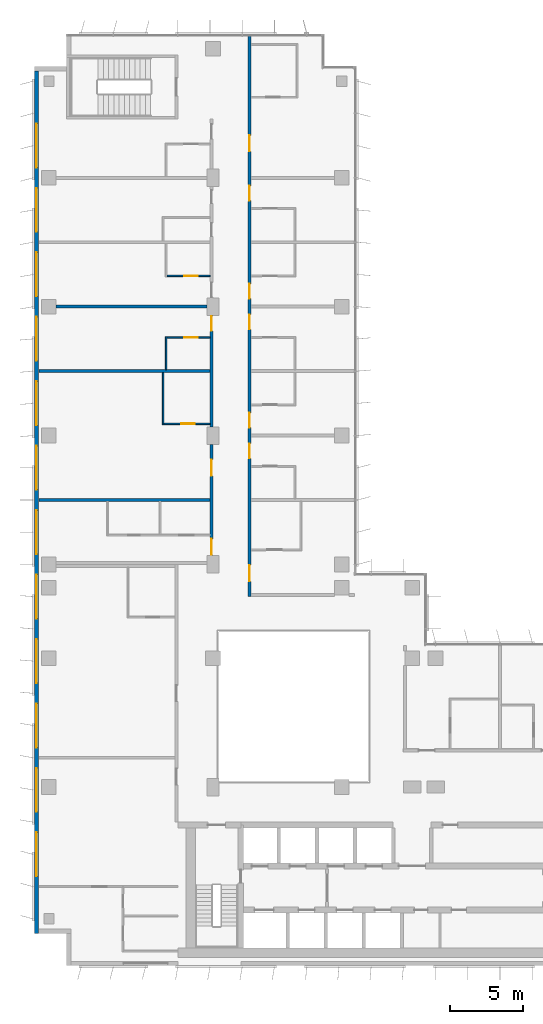
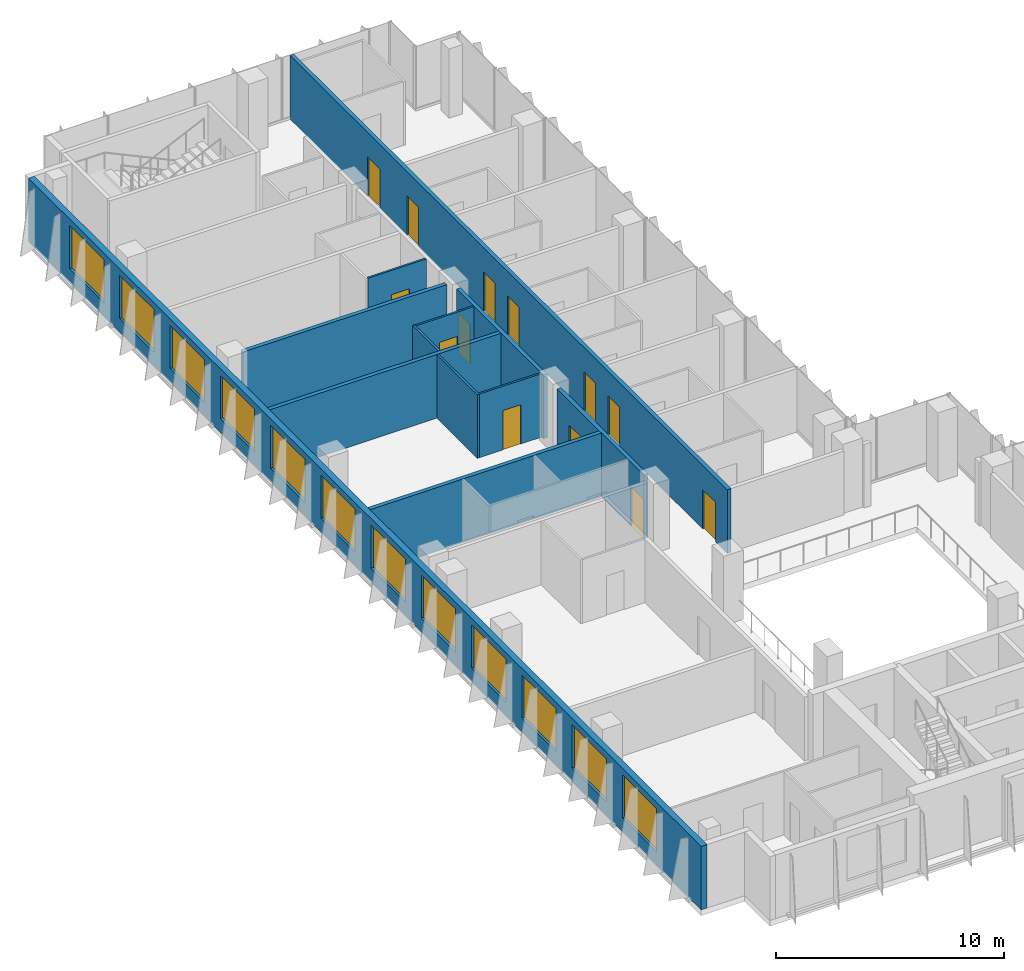
# One storey, part 16 of 21: 13 doors, 12 walls, 12 windows, 25 openings.
"""IFC4 building model written with IfcOpenShell, lengths in metres."""

from ifc_helpers import new_model, si_unit, direction, frame, frame_2d, origin, place, context, subcontext, project, spatial, rectangle, extrude, material, layer, layer_set, type_object, element, fill, save


model = new_model("IFC4")

# Units and contexts
model_context = context("Model", 3, precision=1e-05, world=origin(), true_north=direction((0.0, 1.0)))
body_context = subcontext(model_context, "Body", "Model", "MODEL_VIEW")
ifc_project = project(units=[si_unit("LENGTHUNIT", "METRE"), si_unit("AREAUNIT", "SQUARE_METRE"), si_unit("VOLUMEUNIT", "CUBIC_METRE"), si_unit("PLANEANGLEUNIT", "RADIAN"), si_unit("MASSUNIT", "GRAM", prefix="KILO")], contexts=[model_context])

# Site, building, storey
site_placement = place(None, origin())
site = spatial("IfcSite", under=ifc_project, at=site_placement, CompositionType="ELEMENT")
building_placement = place(site_placement, origin())
building = spatial("IfcBuilding", under=site, at=building_placement, Name="Kemantara Hotel Tower", CompositionType="ELEMENT")
storey_placement = place(building_placement, frame((0.0, 0.0, 182.699951171875)))
storey = spatial("IfcBuildingStorey", under=building, at=storey_placement, Name="L45", CompositionType="ELEMENT", Elevation=182.699951171875)

# Wall, openings, windows
ifc_material_1 = material(Name="Bronze anodised aluminium cladding on insulated steel stud wall", Category="steel")
ifc_layer_1 = layer(ifc_material_1, 0.300048828125)
ifc_layer_set_1 = layer_set([ifc_layer_1], Name="Bronze anodised aluminium cladding on insulated steel stud wall")
wall_type_1 = type_object("IfcWallType", Name="BRONZE METAL-CLAD EXTERNAL WALL 300", PredefinedType="STANDARD", material=ifc_layer_set_1)
wall_1_placement = place(storey_placement, frame((0.14990234375, 61.10009765625, 0.0), z_axis=(0.0, 0.0, 1.0), x_axis=(0.0, -1.0, 0.0)))
wall_1 = element("IfcWall", 1, at=wall_1_placement, inside=storey, type_object=wall_type_1, Name="EXTERNAL WALL L45 T3-R05", PredefinedType="STANDARD", context=body_context, shape_type="SweptSolid", body=[
    extrude(rectangle(XDim=58.900146484375, YDim=0.300048828125, at=frame_2d((29.4501953125, 0.0))), origin(), (0.0, 0.0, 1.0), 3.400146484375),
])
opening_1_placement = place(wall_1_placement, frame((3.60009765625, 0.0, 0.75)))
opening_1 = element("IfcOpeningElement", 2, at=opening_1_placement, cuts=wall_1, Name="Opening W1", PredefinedType="OPENING", context=body_context, shape_type="SweptSolid", body=[
    extrude(rectangle(XDim=3.0, YDim=2.300048828125, at=frame_2d((1.5, 1.14990234375))), frame((0.0, 0.159912109375, 0.0), z_axis=(0.0, -1.0, 0.0), x_axis=(1.0, 0.0, 0.0)), (0.0, 0.0, 1.0), 0.320068359375),
])
opening_2_placement = place(wall_1_placement, frame((8.0, 0.0, 0.75)))
opening_2 = element("IfcOpeningElement", 3, at=opening_2_placement, cuts=wall_1, Name="Opening W1", PredefinedType="OPENING", context=body_context, shape_type="SweptSolid", body=[
    extrude(rectangle(XDim=3.0, YDim=2.300048828125, at=frame_2d((1.5, 1.14990234375))), frame((0.0, 0.159912109375, 0.0), z_axis=(0.0, -1.0, 0.0), x_axis=(1.0, 0.0, 0.0)), (0.0, 0.0, 1.0), 0.320068359375),
])
opening_3_placement = place(wall_1_placement, frame((12.39990234375, 0.0, 0.75)))
opening_3 = element("IfcOpeningElement", 4, at=opening_3_placement, cuts=wall_1, Name="Opening W1", PredefinedType="OPENING", context=body_context, shape_type="SweptSolid", body=[
    extrude(rectangle(XDim=3.0, YDim=2.300048828125, at=frame_2d((1.5, 1.14990234375))), frame((0.0, 0.159912109375, 0.0), z_axis=(0.0, -1.0, 0.0), x_axis=(1.0, 0.0, 0.0)), (0.0, 0.0, 1.0), 0.320068359375),
])
opening_4_placement = place(wall_1_placement, frame((16.800048828125, 0.0, 0.75)))
opening_4 = element("IfcOpeningElement", 5, at=opening_4_placement, cuts=wall_1, Name="Opening W1", PredefinedType="OPENING", context=body_context, shape_type="SweptSolid", body=[
    extrude(rectangle(XDim=3.0, YDim=2.300048828125, at=frame_2d((1.5, 1.14990234375))), frame((0.0, 0.159912109375, 0.0), z_axis=(0.0, -1.0, 0.0), x_axis=(1.0, 0.0, 0.0)), (0.0, 0.0, 1.0), 0.320068359375),
])
opening_5_placement = place(wall_1_placement, frame((21.199951171875, 0.0, 0.75)))
opening_5 = element("IfcOpeningElement", 6, at=opening_5_placement, cuts=wall_1, Name="Opening W1", PredefinedType="OPENING", context=body_context, shape_type="SweptSolid", body=[
    extrude(rectangle(XDim=3.0, YDim=2.300048828125, at=frame_2d((1.5, 1.14990234375))), frame((0.0, 0.159912109375, 0.0), z_axis=(0.0, -1.0, 0.0), x_axis=(1.0, 0.0, 0.0)), (0.0, 0.0, 1.0), 0.320068359375),
])
opening_6_placement = place(wall_1_placement, frame((25.60009765625, 0.0, 0.75)))
opening_6 = element("IfcOpeningElement", 7, at=opening_6_placement, cuts=wall_1, Name="Opening W1", PredefinedType="OPENING", context=body_context, shape_type="SweptSolid", body=[
    extrude(rectangle(XDim=3.0, YDim=2.300048828125, at=frame_2d((1.5, 1.14990234375))), frame((0.0, 0.159912109375, 0.0), z_axis=(0.0, -1.0, 0.0), x_axis=(1.0, 0.0, 0.0)), (0.0, 0.0, 1.0), 0.320068359375),
])
opening_7_placement = place(wall_1_placement, frame((30.0, 0.0, 0.75)))
opening_7 = element("IfcOpeningElement", 8, at=opening_7_placement, cuts=wall_1, Name="Opening W1", PredefinedType="OPENING", context=body_context, shape_type="SweptSolid", body=[
    extrude(rectangle(XDim=3.0, YDim=2.300048828125, at=frame_2d((1.5, 1.14990234375))), frame((0.0, 0.159912109375, 0.0), z_axis=(0.0, -1.0, 0.0), x_axis=(1.0, 0.0, 0.0)), (0.0, 0.0, 1.0), 0.320068359375),
])
opening_8_placement = place(wall_1_placement, frame((34.39990234375, 0.0, 0.75)))
opening_8 = element("IfcOpeningElement", 9, at=opening_8_placement, cuts=wall_1, Name="Opening W1", PredefinedType="OPENING", context=body_context, shape_type="SweptSolid", body=[
    extrude(rectangle(XDim=3.0, YDim=2.300048828125, at=frame_2d((1.5, 1.14990234375))), frame((0.0, 0.159912109375, 0.0), z_axis=(0.0, -1.0, 0.0), x_axis=(1.0, 0.0, 0.0)), (0.0, 0.0, 1.0), 0.320068359375),
])
opening_9_placement = place(wall_1_placement, frame((38.800048828125, 0.0, 0.75)))
opening_9 = element("IfcOpeningElement", 10, at=opening_9_placement, cuts=wall_1, Name="Opening W1", PredefinedType="OPENING", context=body_context, shape_type="SweptSolid", body=[
    extrude(rectangle(XDim=3.0, YDim=2.300048828125, at=frame_2d((1.5, 1.14990234375))), frame((0.0, 0.159912109375, 0.0), z_axis=(0.0, -1.0, 0.0), x_axis=(1.0, 0.0, 0.0)), (0.0, 0.0, 1.0), 0.320068359375),
])
opening_10_placement = place(wall_1_placement, frame((43.199951171875, 0.0, 0.75)))
opening_10 = element("IfcOpeningElement", 11, at=opening_10_placement, cuts=wall_1, Name="Opening W1", PredefinedType="OPENING", context=body_context, shape_type="SweptSolid", body=[
    extrude(rectangle(XDim=3.0, YDim=2.300048828125, at=frame_2d((1.5, 1.14990234375))), frame((0.0, 0.159912109375, 0.0), z_axis=(0.0, -1.0, 0.0), x_axis=(1.0, 0.0, 0.0)), (0.0, 0.0, 1.0), 0.320068359375),
])
opening_11_placement = place(wall_1_placement, frame((47.60009765625, 0.0, 0.75)))
opening_11 = element("IfcOpeningElement", 12, at=opening_11_placement, cuts=wall_1, Name="Opening W1", PredefinedType="OPENING", context=body_context, shape_type="SweptSolid", body=[
    extrude(rectangle(XDim=3.0, YDim=2.300048828125, at=frame_2d((1.5, 1.14990234375))), frame((0.0, 0.159912109375, 0.0), z_axis=(0.0, -1.0, 0.0), x_axis=(1.0, 0.0, 0.0)), (0.0, 0.0, 1.0), 0.320068359375),
])
opening_12_placement = place(wall_1_placement, frame((52.0, 0.0, 0.75)))
opening_12 = element("IfcOpeningElement", 13, at=opening_12_placement, cuts=wall_1, Name="Opening W1", PredefinedType="OPENING", context=body_context, shape_type="SweptSolid", body=[
    extrude(rectangle(XDim=3.0, YDim=2.300048828125, at=frame_2d((1.5, 1.14990234375))), frame((0.0, 0.159912109375, 0.0), z_axis=(0.0, -1.0, 0.0), x_axis=(1.0, 0.0, 0.0)), (0.0, 0.0, 1.0), 0.320068359375),
])
ifc_material_2 = material(Name="Low-E tinted double insulated glass in bronze anodised aluminium frame", Category="aluminium")
window_type = type_object("IfcWindowType", Name="CHICAGO WINDOW, TRIPLE PANEL 3000x2300", PartitioningType="TRIPLE_PANEL_VERTICAL", PredefinedType="WINDOW", material=ifc_material_2)
window_1_placement = place(opening_1_placement, origin())
window_1 = element("IfcWindow", 14, at=window_1_placement, inside=storey, type_object=window_type, Name="CHICAGO WINDOW L45 T3-R05-54", OverallHeight=2.300048828125, OverallWidth=3.0, PartitioningType="SINGLE_PANEL", PredefinedType="WINDOW", context=body_context, shape_type="SweptSolid", body=[
    extrude(rectangle(XDim=3.0, YDim=2.300048828125, at=frame_2d((1.5, 1.14990234375))), frame((0.0, 0.030029296875, 0.0), z_axis=(0.0, -1.0, 0.0), x_axis=(1.0, 0.0, 0.0)), (0.0, 0.0, 1.0), 0.06005859375),
])
fill(opening_1, window_1)
window_2_placement = place(opening_2_placement, origin())
window_2 = element("IfcWindow", 15, at=window_2_placement, inside=storey, type_object=window_type, Name="CHICAGO WINDOW L45 T3-R05-98", OverallHeight=2.300048828125, OverallWidth=3.0, PartitioningType="SINGLE_PANEL", PredefinedType="WINDOW", context=body_context, shape_type="SweptSolid", body=[
    extrude(rectangle(XDim=3.0, YDim=2.300048828125, at=frame_2d((1.5, 1.14990234375))), frame((0.0, 0.030029296875, 0.0), z_axis=(0.0, -1.0, 0.0), x_axis=(1.0, 0.0, 0.0)), (0.0, 0.0, 1.0), 0.06005859375),
])
fill(opening_2, window_2)
window_3_placement = place(opening_3_placement, origin())
window_3 = element("IfcWindow", 16, at=window_3_placement, inside=storey, type_object=window_type, Name="CHICAGO WINDOW L45 T3-R05-142", OverallHeight=2.300048828125, OverallWidth=3.0, PartitioningType="SINGLE_PANEL", PredefinedType="WINDOW", context=body_context, shape_type="SweptSolid", body=[
    extrude(rectangle(XDim=3.0, YDim=2.300048828125, at=frame_2d((1.5, 1.14990234375))), frame((0.0, 0.030029296875, 0.0), z_axis=(0.0, -1.0, 0.0), x_axis=(1.0, 0.0, 0.0)), (0.0, 0.0, 1.0), 0.06005859375),
])
fill(opening_3, window_3)
window_4_placement = place(opening_4_placement, origin())
window_4 = element("IfcWindow", 17, at=window_4_placement, inside=storey, type_object=window_type, Name="CHICAGO WINDOW L45 T3-R05-186", OverallHeight=2.300048828125, OverallWidth=3.0, PartitioningType="SINGLE_PANEL", PredefinedType="WINDOW", context=body_context, shape_type="SweptSolid", body=[
    extrude(rectangle(XDim=3.0, YDim=2.300048828125, at=frame_2d((1.5, 1.14990234375))), frame((0.0, 0.030029296875, 0.0), z_axis=(0.0, -1.0, 0.0), x_axis=(1.0, 0.0, 0.0)), (0.0, 0.0, 1.0), 0.06005859375),
])
fill(opening_4, window_4)
window_5_placement = place(opening_5_placement, origin())
window_5 = element("IfcWindow", 18, at=window_5_placement, inside=storey, type_object=window_type, Name="CHICAGO WINDOW L45 T3-R05-230", OverallHeight=2.300048828125, OverallWidth=3.0, PartitioningType="SINGLE_PANEL", PredefinedType="WINDOW", context=body_context, shape_type="SweptSolid", body=[
    extrude(rectangle(XDim=3.0, YDim=2.300048828125, at=frame_2d((1.5, 1.14990234375))), frame((0.0, 0.030029296875, 0.0), z_axis=(0.0, -1.0, 0.0), x_axis=(1.0, 0.0, 0.0)), (0.0, 0.0, 1.0), 0.06005859375),
])
fill(opening_5, window_5)
window_6_placement = place(opening_6_placement, origin())
window_6 = element("IfcWindow", 19, at=window_6_placement, inside=storey, type_object=window_type, Name="CHICAGO WINDOW L45 T3-R05-274", OverallHeight=2.300048828125, OverallWidth=3.0, PartitioningType="SINGLE_PANEL", PredefinedType="WINDOW", context=body_context, shape_type="SweptSolid", body=[
    extrude(rectangle(XDim=3.0, YDim=2.300048828125, at=frame_2d((1.5, 1.14990234375))), frame((0.0, 0.030029296875, 0.0), z_axis=(0.0, -1.0, 0.0), x_axis=(1.0, 0.0, 0.0)), (0.0, 0.0, 1.0), 0.06005859375),
])
fill(opening_6, window_6)
window_7_placement = place(opening_7_placement, origin())
window_7 = element("IfcWindow", 20, at=window_7_placement, inside=storey, type_object=window_type, Name="CHICAGO WINDOW L45 T3-R05-318", OverallHeight=2.300048828125, OverallWidth=3.0, PartitioningType="SINGLE_PANEL", PredefinedType="WINDOW", context=body_context, shape_type="SweptSolid", body=[
    extrude(rectangle(XDim=3.0, YDim=2.300048828125, at=frame_2d((1.5, 1.14990234375))), frame((0.0, 0.030029296875, 0.0), z_axis=(0.0, -1.0, 0.0), x_axis=(1.0, 0.0, 0.0)), (0.0, 0.0, 1.0), 0.06005859375),
])
fill(opening_7, window_7)
window_8_placement = place(opening_8_placement, origin())
window_8 = element("IfcWindow", 21, at=window_8_placement, inside=storey, type_object=window_type, Name="CHICAGO WINDOW L45 T3-R05-362", OverallHeight=2.300048828125, OverallWidth=3.0, PartitioningType="SINGLE_PANEL", PredefinedType="WINDOW", context=body_context, shape_type="SweptSolid", body=[
    extrude(rectangle(XDim=3.0, YDim=2.300048828125, at=frame_2d((1.5, 1.14990234375))), frame((0.0, 0.030029296875, 0.0), z_axis=(0.0, -1.0, 0.0), x_axis=(1.0, 0.0, 0.0)), (0.0, 0.0, 1.0), 0.06005859375),
])
fill(opening_8, window_8)
window_9_placement = place(opening_9_placement, origin())
window_9 = element("IfcWindow", 22, at=window_9_placement, inside=storey, type_object=window_type, Name="CHICAGO WINDOW L45 T3-R05-406", OverallHeight=2.300048828125, OverallWidth=3.0, PartitioningType="SINGLE_PANEL", PredefinedType="WINDOW", context=body_context, shape_type="SweptSolid", body=[
    extrude(rectangle(XDim=3.0, YDim=2.300048828125, at=frame_2d((1.5, 1.14990234375))), frame((0.0, 0.030029296875, 0.0), z_axis=(0.0, -1.0, 0.0), x_axis=(1.0, 0.0, 0.0)), (0.0, 0.0, 1.0), 0.06005859375),
])
fill(opening_9, window_9)
window_10_placement = place(opening_10_placement, origin())
window_10 = element("IfcWindow", 23, at=window_10_placement, inside=storey, type_object=window_type, Name="CHICAGO WINDOW L45 T3-R05-450", OverallHeight=2.300048828125, OverallWidth=3.0, PartitioningType="SINGLE_PANEL", PredefinedType="WINDOW", context=body_context, shape_type="SweptSolid", body=[
    extrude(rectangle(XDim=3.0, YDim=2.300048828125, at=frame_2d((1.5, 1.14990234375))), frame((0.0, 0.030029296875, 0.0), z_axis=(0.0, -1.0, 0.0), x_axis=(1.0, 0.0, 0.0)), (0.0, 0.0, 1.0), 0.06005859375),
])
fill(opening_10, window_10)
window_11_placement = place(opening_11_placement, origin())
window_11 = element("IfcWindow", 24, at=window_11_placement, inside=storey, type_object=window_type, Name="CHICAGO WINDOW L45 T3-R05-494", OverallHeight=2.300048828125, OverallWidth=3.0, PartitioningType="SINGLE_PANEL", PredefinedType="WINDOW", context=body_context, shape_type="SweptSolid", body=[
    extrude(rectangle(XDim=3.0, YDim=2.300048828125, at=frame_2d((1.5, 1.14990234375))), frame((0.0, 0.030029296875, 0.0), z_axis=(0.0, -1.0, 0.0), x_axis=(1.0, 0.0, 0.0)), (0.0, 0.0, 1.0), 0.06005859375),
])
fill(opening_11, window_11)
window_12_placement = place(opening_12_placement, origin())
window_12 = element("IfcWindow", 25, at=window_12_placement, inside=storey, type_object=window_type, Name="CHICAGO WINDOW L45 T3-R05-538", OverallHeight=2.300048828125, OverallWidth=3.0, PartitioningType="SINGLE_PANEL", PredefinedType="WINDOW", context=body_context, shape_type="SweptSolid", body=[
    extrude(rectangle(XDim=3.0, YDim=2.300048828125, at=frame_2d((1.5, 1.14990234375))), frame((0.0, 0.030029296875, 0.0), z_axis=(0.0, -1.0, 0.0), x_axis=(1.0, 0.0, 0.0)), (0.0, 0.0, 1.0), 0.06005859375),
])
fill(opening_12, window_12)

# Wall, openings, doors
ifc_material_3 = material(Name="Gypsum board partition, steel studs and mineral wool, 200 mm", Category="steel")
ifc_layer_2 = layer(ifc_material_3, 0.199951171875)
ifc_layer_set_2 = layer_set([ifc_layer_2], Name="Gypsum board partition, steel studs and mineral wool, 200 mm")
wall_type_2 = type_object("IfcWallType", Name="CORRIDOR WALL 200", PredefinedType="PARTITIONING", material=ifc_layer_set_2)
wall_2_placement = place(storey_placement, frame((12.10009765625, 28.0, 0.0), z_axis=(0.0, 0.0, 1.0), x_axis=(0.0, 1.0, 0.0)))
wall_2 = element("IfcWall", 26, at=wall_2_placement, inside=storey, type_object=wall_type_2, Name="CORRIDOR WALL 200 015", PredefinedType="PARTITIONING", context=body_context, shape_type="SweptSolid", body=[
    extrude(rectangle(XDim=7.599853515625, YDim=0.199951171875, at=frame_2d((3.7998046875, 0.0))), origin(), (0.0, 0.0, 1.0), 3.400146484375),
])
opening_13_placement = place(wall_2_placement, frame((0.0498046875, 0.0, 0.0)))
opening_13 = element("IfcOpeningElement", 27, at=opening_13_placement, cuts=wall_2, Name="Opening F21-021", PredefinedType="OPENING", context=body_context, shape_type="SweptSolid", body=[
    extrude(rectangle(XDim=1.10009765625, YDim=2.10009765625, at=frame_2d((0.550048828125, 1.050048828125))), frame((0.0, 0.10986328125, 0.0), z_axis=(0.0, -1.0, 0.0), x_axis=(1.0, 0.0, 0.0)), (0.0, 0.0, 1.0), 0.219970703125),
])
opening_14_placement = place(wall_2_placement, frame((5.449951171875, 0.0, 0.0)))
opening_14 = element("IfcOpeningElement", 28, at=opening_14_placement, cuts=wall_2, Name="Opening F21-024", PredefinedType="OPENING", context=body_context, shape_type="SweptSolid", body=[
    extrude(rectangle(XDim=1.10009765625, YDim=2.10009765625, at=frame_2d((0.550048828125, 1.050048828125))), frame((0.0, 0.10986328125, 0.0), z_axis=(0.0, -1.0, 0.0), x_axis=(1.0, 0.0, 0.0)), (0.0, 0.0, 1.0), 0.219970703125),
])
ifc_material_4 = material(Name="Hardwood veneer door leaf with steel frame", Category="steel")
door_type_1 = type_object("IfcDoorType", Name="GUEST ROOM DOOR 1100 X 2100 FD30S", OperationType="NOTDEFINED", PredefinedType="DOOR", material=ifc_material_4)
door_1_placement = place(opening_13_placement, origin())
door_1 = element("IfcDoor", 29, at=door_1_placement, inside=storey, type_object=door_type_1, Name="GUEST ROOM DOOR F21-021", OperationType="SINGLE_SWING_LEFT", OverallHeight=2.10009765625, OverallWidth=1.10009765625, PredefinedType="DOOR", context=body_context, shape_type="SweptSolid", body=[
    extrude(rectangle(XDim=1.10009765625, YDim=2.10009765625, at=frame_2d((0.550048828125, 1.050048828125))), frame((0.0, 0.02490234375, 0.0), z_axis=(0.0, -1.0, 0.0), x_axis=(1.0, 0.0, 0.0)), (0.0, 0.0, 1.0), 0.050048828125),
])
fill(opening_13, door_1)
door_type_2 = type_object("IfcDoorType", Name="SUITE ENTRANCE DOOR 1100 X 2100 FD30S", OperationType="NOTDEFINED", PredefinedType="DOOR", material=ifc_material_4)
door_2_placement = place(opening_14_placement, origin())
door_2 = element("IfcDoor", 30, at=door_2_placement, inside=storey, type_object=door_type_2, Name="SUITE ENTRANCE DOOR F21-024", OperationType="SINGLE_SWING_LEFT", OverallHeight=2.10009765625, OverallWidth=1.10009765625, PredefinedType="DOOR", context=body_context, shape_type="SweptSolid", body=[
    extrude(rectangle(XDim=1.10009765625, YDim=2.10009765625, at=frame_2d((0.550048828125, 1.050048828125))), frame((0.0, 0.02490234375, 0.0), z_axis=(0.0, -1.0, 0.0), x_axis=(1.0, 0.0, 0.0)), (0.0, 0.0, 1.0), 0.050048828125),
])
fill(opening_14, door_2)

# Wall, opening, door
wall_3_placement = place(storey_placement, frame((12.10009765625, 36.800048828125, 0.0), z_axis=(0.0, 0.0, 1.0), x_axis=(0.0, 1.0, 0.0)))
wall_3 = element("IfcWall", 31, at=wall_3_placement, inside=storey, type_object=wall_type_2, Name="CORRIDOR WALL 200 016", PredefinedType="PARTITIONING", context=body_context, shape_type="SweptSolid", body=[
    extrude(rectangle(XDim=7.599853515625, YDim=0.199951171875, at=frame_2d((3.7998046875, 0.0))), origin(), (0.0, 0.0, 1.0), 3.400146484375),
])
opening_15_placement = place(wall_3_placement, frame((6.5498046875, 0.0, 0.0)))
opening_15 = element("IfcOpeningElement", 32, at=opening_15_placement, cuts=wall_3, Name="Opening F21-026", PredefinedType="OPENING", context=body_context, shape_type="SweptSolid", body=[
    extrude(rectangle(XDim=1.0, YDim=2.10009765625, at=frame_2d((0.5, 1.050048828125))), frame((0.0, 0.10986328125, 0.0), z_axis=(0.0, -1.0, 0.0), x_axis=(1.0, 0.0, 0.0)), (0.0, 0.0, 1.0), 0.219970703125),
])
door_type_3 = type_object("IfcDoorType", Name="GUEST ROOM DOOR 1000 X 2100 FD30S", OperationType="NOTDEFINED", PredefinedType="DOOR", material=ifc_material_4)
door_3_placement = place(opening_15_placement, origin())
door_3 = element("IfcDoor", 33, at=door_3_placement, inside=storey, type_object=door_type_3, Name="GUEST ROOM DOOR F21-026", OperationType="SINGLE_SWING_RIGHT", OverallHeight=2.10009765625, OverallWidth=1.0, PredefinedType="DOOR", context=body_context, shape_type="SweptSolid", body=[
    extrude(rectangle(XDim=1.0, YDim=2.10009765625, at=frame_2d((0.5, 1.050048828125))), frame((0.0, 0.02490234375, 0.0), z_axis=(0.0, -1.0, 0.0), x_axis=(1.0, 0.0, 0.0)), (0.0, 0.0, 1.0), 0.050048828125),
])
fill(opening_15, door_3)

# Wall, openings, doors
wall_4_placement = place(storey_placement, frame((14.699951171875, 63.47998046875, 0.0), z_axis=(0.0, 0.0, 1.0), x_axis=(0.0, -1.0, 0.0)))
wall_4 = element("IfcWall", 34, at=wall_4_placement, inside=storey, type_object=wall_type_2, Name="CORRIDOR WALL 200 030", PredefinedType="PARTITIONING", context=body_context, shape_type="SweptSolid", body=[
    extrude(rectangle(XDim=38.280029296875, YDim=0.199951171875, at=frame_2d((19.14013671875, 0.0))), origin(), (0.0, 0.0, 1.0), 3.400146484375),
])
opening_16_placement = place(wall_4_placement, frame((36.1298828125, 0.0, 0.0)))
opening_16 = element("IfcOpeningElement", 35, at=opening_16_placement, cuts=wall_4, Name="Opening F21-034", PredefinedType="OPENING", context=body_context, shape_type="SweptSolid", body=[
    extrude(rectangle(XDim=1.10009765625, YDim=2.10009765625, at=frame_2d((0.550048828125, 1.050048828125))), frame((0.0, 0.10986328125, 0.0), z_axis=(0.0, -1.0, 0.0), x_axis=(1.0, 0.0, 0.0)), (0.0, 0.0, 1.0), 0.219970703125),
])
opening_17_placement = place(wall_4_placement, frame((27.829833984375, 0.0, 0.0)))
opening_17 = element("IfcOpeningElement", 36, at=opening_17_placement, cuts=wall_4, Name="Opening F21-036", PredefinedType="OPENING", context=body_context, shape_type="SweptSolid", body=[
    extrude(rectangle(XDim=1.0, YDim=2.10009765625, at=frame_2d((0.5, 1.050048828125))), frame((0.0, 0.10986328125, 0.0), z_axis=(0.0, -1.0, 0.0), x_axis=(1.0, 0.0, 0.0)), (0.0, 0.0, 1.0), 0.219970703125),
])
opening_18_placement = place(wall_4_placement, frame((25.72998046875, 0.0, 0.0)))
opening_18 = element("IfcOpeningElement", 37, at=opening_18_placement, cuts=wall_4, Name="Opening F21-038", PredefinedType="OPENING", context=body_context, shape_type="SweptSolid", body=[
    extrude(rectangle(XDim=1.0, YDim=2.10009765625, at=frame_2d((0.5, 1.050048828125))), frame((0.0, 0.10986328125, 0.0), z_axis=(0.0, -1.0, 0.0), x_axis=(1.0, 0.0, 0.0)), (0.0, 0.0, 1.0), 0.219970703125),
])
opening_19_placement = place(wall_4_placement, frame((19.02978515625, 0.0, 0.0)))
opening_19 = element("IfcOpeningElement", 38, at=opening_19_placement, cuts=wall_4, Name="Opening F21-040", PredefinedType="OPENING", context=body_context, shape_type="SweptSolid", body=[
    extrude(rectangle(XDim=1.0, YDim=2.10009765625, at=frame_2d((0.5, 1.050048828125))), frame((0.0, 0.10986328125, 0.0), z_axis=(0.0, -1.0, 0.0), x_axis=(1.0, 0.0, 0.0)), (0.0, 0.0, 1.0), 0.219970703125),
])
opening_20_placement = place(wall_4_placement, frame((16.929931640625, 0.0, 0.0)))
opening_20 = element("IfcOpeningElement", 39, at=opening_20_placement, cuts=wall_4, Name="Opening F21-042", PredefinedType="OPENING", context=body_context, shape_type="SweptSolid", body=[
    extrude(rectangle(XDim=1.0, YDim=2.10009765625, at=frame_2d((0.5, 1.050048828125))), frame((0.0, 0.10986328125, 0.0), z_axis=(0.0, -1.0, 0.0), x_axis=(1.0, 0.0, 0.0)), (0.0, 0.0, 1.0), 0.219970703125),
])
opening_21_placement = place(wall_4_placement, frame((10.22998046875, 0.0, 0.0)))
opening_21 = element("IfcOpeningElement", 40, at=opening_21_placement, cuts=wall_4, Name="Opening F21-044", PredefinedType="OPENING", context=body_context, shape_type="SweptSolid", body=[
    extrude(rectangle(XDim=1.0, YDim=2.10009765625, at=frame_2d((0.5, 1.050048828125))), frame((0.0, 0.10986328125, 0.0), z_axis=(0.0, -1.0, 0.0), x_axis=(1.0, 0.0, 0.0)), (0.0, 0.0, 1.0), 0.219970703125),
])
opening_22_placement = place(wall_4_placement, frame((6.77978515625, 0.0, 0.0)))
opening_22 = element("IfcOpeningElement", 41, at=opening_22_placement, cuts=wall_4, Name="Opening F21-046", PredefinedType="OPENING", context=body_context, shape_type="SweptSolid", body=[
    extrude(rectangle(XDim=1.10009765625, YDim=2.10009765625, at=frame_2d((0.550048828125, 1.050048828125))), frame((0.0, 0.10986328125, 0.0), z_axis=(0.0, -1.0, 0.0), x_axis=(1.0, 0.0, 0.0)), (0.0, 0.0, 1.0), 0.219970703125),
])
door_4_placement = place(opening_17_placement, origin())
door_4 = element("IfcDoor", 42, at=door_4_placement, inside=storey, type_object=door_type_3, Name="GUEST ROOM DOOR F21-036", OperationType="SINGLE_SWING_LEFT", OverallHeight=2.10009765625, OverallWidth=1.0, PredefinedType="DOOR", context=body_context, shape_type="SweptSolid", body=[
    extrude(rectangle(XDim=1.0, YDim=2.10009765625, at=frame_2d((0.5, 1.050048828125))), frame((0.0, 0.02490234375, 0.0), z_axis=(0.0, -1.0, 0.0), x_axis=(1.0, 0.0, 0.0)), (0.0, 0.0, 1.0), 0.050048828125),
])
fill(opening_17, door_4)
door_5_placement = place(opening_18_placement, origin())
door_5 = element("IfcDoor", 43, at=door_5_placement, inside=storey, type_object=door_type_3, Name="GUEST ROOM DOOR F21-038", OperationType="SINGLE_SWING_RIGHT", OverallHeight=2.10009765625, OverallWidth=1.0, PredefinedType="DOOR", context=body_context, shape_type="SweptSolid", body=[
    extrude(rectangle(XDim=1.0, YDim=2.10009765625, at=frame_2d((0.5, 1.050048828125))), frame((0.0, 0.02490234375, 0.0), z_axis=(0.0, -1.0, 0.0), x_axis=(1.0, 0.0, 0.0)), (0.0, 0.0, 1.0), 0.050048828125),
])
fill(opening_18, door_5)
door_6_placement = place(opening_19_placement, origin())
door_6 = element("IfcDoor", 44, at=door_6_placement, inside=storey, type_object=door_type_3, Name="GUEST ROOM DOOR F21-040", OperationType="SINGLE_SWING_LEFT", OverallHeight=2.10009765625, OverallWidth=1.0, PredefinedType="DOOR", context=body_context, shape_type="SweptSolid", body=[
    extrude(rectangle(XDim=1.0, YDim=2.10009765625, at=frame_2d((0.5, 1.050048828125))), frame((0.0, 0.02490234375, 0.0), z_axis=(0.0, -1.0, 0.0), x_axis=(1.0, 0.0, 0.0)), (0.0, 0.0, 1.0), 0.050048828125),
])
fill(opening_19, door_6)
door_7_placement = place(opening_20_placement, origin())
door_7 = element("IfcDoor", 45, at=door_7_placement, inside=storey, type_object=door_type_3, Name="GUEST ROOM DOOR F21-042", OperationType="SINGLE_SWING_RIGHT", OverallHeight=2.10009765625, OverallWidth=1.0, PredefinedType="DOOR", context=body_context, shape_type="SweptSolid", body=[
    extrude(rectangle(XDim=1.0, YDim=2.10009765625, at=frame_2d((0.5, 1.050048828125))), frame((0.0, 0.02490234375, 0.0), z_axis=(0.0, -1.0, 0.0), x_axis=(1.0, 0.0, 0.0)), (0.0, 0.0, 1.0), 0.050048828125),
])
fill(opening_20, door_7)
door_8_placement = place(opening_21_placement, origin())
door_8 = element("IfcDoor", 46, at=door_8_placement, inside=storey, type_object=door_type_3, Name="GUEST ROOM DOOR F21-044", OperationType="SINGLE_SWING_LEFT", OverallHeight=2.10009765625, OverallWidth=1.0, PredefinedType="DOOR", context=body_context, shape_type="SweptSolid", body=[
    extrude(rectangle(XDim=1.0, YDim=2.10009765625, at=frame_2d((0.5, 1.050048828125))), frame((0.0, 0.02490234375, 0.0), z_axis=(0.0, -1.0, 0.0), x_axis=(1.0, 0.0, 0.0)), (0.0, 0.0, 1.0), 0.050048828125),
])
fill(opening_21, door_8)
door_9_placement = place(opening_16_placement, origin())
door_9 = element("IfcDoor", 47, at=door_9_placement, inside=storey, type_object=door_type_1, Name="GUEST ROOM DOOR F21-034", OperationType="SINGLE_SWING_RIGHT", OverallHeight=2.10009765625, OverallWidth=1.10009765625, PredefinedType="DOOR", context=body_context, shape_type="SweptSolid", body=[
    extrude(rectangle(XDim=1.10009765625, YDim=2.10009765625, at=frame_2d((0.550048828125, 1.050048828125))), frame((0.0, 0.02490234375, 0.0), z_axis=(0.0, -1.0, 0.0), x_axis=(1.0, 0.0, 0.0)), (0.0, 0.0, 1.0), 0.050048828125),
])
fill(opening_16, door_9)
door_10_placement = place(opening_22_placement, origin())
door_10 = element("IfcDoor", 48, at=door_10_placement, inside=storey, type_object=door_type_2, Name="SUITE ENTRANCE DOOR F21-046", OperationType="SINGLE_SWING_RIGHT", OverallHeight=2.10009765625, OverallWidth=1.10009765625, PredefinedType="DOOR", context=body_context, shape_type="SweptSolid", body=[
    extrude(rectangle(XDim=1.10009765625, YDim=2.10009765625, at=frame_2d((0.550048828125, 1.050048828125))), frame((0.0, 0.02490234375, 0.0), z_axis=(0.0, -1.0, 0.0), x_axis=(1.0, 0.0, 0.0)), (0.0, 0.0, 1.0), 0.050048828125),
])
fill(opening_22, door_10)

# Walls
ifc_layer_3 = layer(ifc_material_3, 0.199951171875)
ifc_layer_set_3 = layer_set([ifc_layer_3], Name="Gypsum board partition, steel studs and mineral wool, 200 mm")
wall_type_3 = type_object("IfcWallType", Name="GUEST ROOM PARTY WALL 200", PredefinedType="PARTITIONING", material=ifc_layer_set_3)
for number, where, z_axis, x_axis, name in (
    (49, (0.31005859375, 31.800048828125, 0.0), (0.0, 0.0, 1.0), (1.0, 0.0, 0.0), "GUEST ROOM PARTY WALL 200 020"),
    (50, (0.31005859375, 40.60009765625, 0.0), (0.0, 0.0, 1.0), (1.0, 0.0, 0.0), "GUEST ROOM PARTY WALL 200 022"),
):
    element("IfcWall", number, at=place(storey_placement, frame(where, z_axis=z_axis, x_axis=x_axis)), inside=storey, type_object=wall_type_3, Name=name, PredefinedType="PARTITIONING", context=body_context, shape_type="SweptSolid", body=[
        extrude(rectangle(XDim=11.68994140625, YDim=0.199951171875, at=frame_2d((5.844970703125, 0.0))), origin(), (0.0, 0.0, 1.0), 3.400146484375),
    ])
wall_5_placement = place(storey_placement, frame((1.5, 45.0, 0.0), z_axis=(0.0, 0.0, 1.0), x_axis=(1.0, 0.0, 0.0)))
element("IfcWall", 51, at=wall_5_placement, inside=storey, type_object=wall_type_3, Name="GUEST ROOM PARTY WALL 200 024", PredefinedType="PARTITIONING", context=body_context, shape_type="SweptSolid", body=[
    extrude(rectangle(XDim=10.2998046875, YDim=0.199951171875, at=frame_2d((5.14990234375, 0.0))), origin(), (0.0, 0.0, 1.0), 3.400146484375),
])
ifc_material_5 = material(Name="Gypsum board partition on steel studs, 100 mm", Category="steel")
ifc_layer_4 = layer(ifc_material_5, 0.10009765625)
ifc_layer_set_4 = layer_set([ifc_layer_4], Name="Gypsum board partition on steel studs, 100 mm")
wall_type_4 = type_object("IfcWallType", Name="ROOM PARTITION 100", PredefinedType="PARTITIONING", material=ifc_layer_set_4)
wall_6_placement = place(storey_placement, frame((8.800048828125, 36.949951171875, 0.0), z_axis=(0.0, 0.0, 1.0), x_axis=(0.0, 1.0, 0.0)))
element("IfcWall", 52, at=wall_6_placement, inside=storey, type_object=wall_type_4, Name="ROOM PARTITION 100 057", PredefinedType="PARTITIONING", context=body_context, shape_type="SweptSolid", body=[
    extrude(rectangle(XDim=3.550048828125, YDim=0.10009765625, at=frame_2d((1.77490234375, 0.0))), origin(), (0.0, 0.0, 1.0), 3.400146484375),
])

# Wall, opening, door
wall_7_placement = place(storey_placement, frame((8.85009765625, 37.0, 0.0), z_axis=(0.0, 0.0, 1.0), x_axis=(1.0, 0.0, 0.0)))
wall_7 = element("IfcWall", 53, at=wall_7_placement, inside=storey, type_object=wall_type_4, Name="ROOM PARTITION 100 059", PredefinedType="PARTITIONING", context=body_context, shape_type="SweptSolid", body=[
    extrude(rectangle(XDim=3.14990234375, YDim=0.10009765625, at=frame_2d((1.574951171875, 0.0))), origin(), (0.0, 0.0, 1.0), 3.400146484375),
])
opening_23_placement = place(wall_7_placement, frame((1.199951171875, 0.0, 0.0)))
opening_23 = element("IfcOpeningElement", 54, at=opening_23_placement, cuts=wall_7, Name="Opening F21-025", PredefinedType="OPENING", context=body_context, shape_type="SweptSolid", body=[
    extrude(rectangle(XDim=0.89990234375, YDim=2.10009765625, at=frame_2d((0.449951171875, 1.050048828125))), frame((0.0, 0.06005859375, 0.0), z_axis=(0.0, -1.0, 0.0), x_axis=(1.0, 0.0, 0.0)), (0.0, 0.0, 1.0), 0.1201171875),
])
door_type_4 = type_object("IfcDoorType", Name="BATHROOM DOOR 900 X 2100", OperationType="NOTDEFINED", PredefinedType="DOOR", material=ifc_material_4)
door_11_placement = place(opening_23_placement, origin())
door_11 = element("IfcDoor", 55, at=door_11_placement, inside=storey, type_object=door_type_4, Name="BATHROOM DOOR F21-025", OperationType="SINGLE_SWING_RIGHT", OverallHeight=2.10009765625, OverallWidth=0.89990234375, PredefinedType="DOOR", context=body_context, shape_type="SweptSolid", body=[
    extrude(rectangle(XDim=0.89990234375, YDim=2.10009765625, at=frame_2d((0.449951171875, 1.050048828125))), frame((0.0, 0.02490234375, 0.0), z_axis=(0.0, -1.0, 0.0), x_axis=(1.0, 0.0, 0.0)), (0.0, 0.0, 1.0), 0.050048828125),
])
fill(opening_23, door_11)

# Wall
wall_8_placement = place(storey_placement, frame((9.0, 40.699951171875, 0.0), z_axis=(0.0, 0.0, 1.0), x_axis=(0.0, 1.0, 0.0)))
element("IfcWall", 56, at=wall_8_placement, inside=storey, type_object=wall_type_4, Name="ROOM PARTITION 100 060", PredefinedType="PARTITIONING", context=body_context, shape_type="SweptSolid", body=[
    extrude(rectangle(XDim=2.25, YDim=0.10009765625, at=frame_2d((1.125, 0.0))), origin(), (0.0, 0.0, 1.0), 3.400146484375),
])

# Wall, opening, door
wall_9_placement = place(storey_placement, frame((12.0, 42.89990234375, 0.0), z_axis=(0.0, 0.0, 1.0), x_axis=(-1.0, 0.0, 0.0)))
wall_9 = element("IfcWall", 57, at=wall_9_placement, inside=storey, type_object=wall_type_4, Name="ROOM PARTITION 100 063", PredefinedType="PARTITIONING", context=body_context, shape_type="SweptSolid", body=[
    extrude(rectangle(XDim=2.949951171875, YDim=0.10009765625, at=frame_2d((1.47509765625, 0.0))), origin(), (0.0, 0.0, 1.0), 3.400146484375),
])
opening_24_placement = place(wall_9_placement, frame((0.85009765625, 0.0, 0.0)))
opening_24 = element("IfcOpeningElement", 58, at=opening_24_placement, cuts=wall_9, Name="Opening F21-027", PredefinedType="OPENING", context=body_context, shape_type="SweptSolid", body=[
    extrude(rectangle(XDim=0.89990234375, YDim=2.10009765625, at=frame_2d((0.449951171875, 1.050048828125))), frame((0.0, 0.06005859375, 0.0), z_axis=(0.0, -1.0, 0.0), x_axis=(1.0, 0.0, 0.0)), (0.0, 0.0, 1.0), 0.1201171875),
])
door_12_placement = place(opening_24_placement, origin())
door_12 = element("IfcDoor", 59, at=door_12_placement, inside=storey, type_object=door_type_4, Name="BATHROOM DOOR F21-027", OperationType="SINGLE_SWING_LEFT", OverallHeight=2.10009765625, OverallWidth=0.89990234375, PredefinedType="DOOR", context=body_context, shape_type="SweptSolid", body=[
    extrude(rectangle(XDim=0.89990234375, YDim=2.10009765625, at=frame_2d((0.449951171875, 1.050048828125))), frame((0.0, 0.02490234375, 0.0), z_axis=(0.0, -1.0, 0.0), x_axis=(1.0, 0.0, 0.0)), (0.0, 0.0, 1.0), 0.050048828125),
])
fill(opening_24, door_12)

wall_10_placement = place(storey_placement, frame((9.050048828125, 47.10009765625, 0.0), z_axis=(0.0, 0.0, 1.0), x_axis=(1.0, 0.0, 0.0)))
wall_10 = element("IfcWall", 60, at=wall_10_placement, inside=storey, type_object=wall_type_4, Name="ROOM PARTITION 100 065", PredefinedType="PARTITIONING", context=body_context, shape_type="SweptSolid", body=[
    extrude(rectangle(XDim=2.949951171875, YDim=0.10009765625, at=frame_2d((1.47509765625, 0.0))), origin(), (0.0, 0.0, 1.0), 3.400146484375),
])
opening_25_placement = place(wall_10_placement, frame((1.199951171875, 0.0, 0.0)))
opening_25 = element("IfcOpeningElement", 61, at=opening_25_placement, cuts=wall_10, Name="Opening F21-029", PredefinedType="OPENING", context=body_context, shape_type="SweptSolid", body=[
    extrude(rectangle(XDim=0.89990234375, YDim=2.10009765625, at=frame_2d((0.449951171875, 1.050048828125))), frame((0.0, 0.06005859375, 0.0), z_axis=(0.0, -1.0, 0.0), x_axis=(1.0, 0.0, 0.0)), (0.0, 0.0, 1.0), 0.1201171875),
])
door_13_placement = place(opening_25_placement, origin())
door_13 = element("IfcDoor", 62, at=door_13_placement, inside=storey, type_object=door_type_4, Name="BATHROOM DOOR F21-029", OperationType="SINGLE_SWING_RIGHT", OverallHeight=2.10009765625, OverallWidth=0.89990234375, PredefinedType="DOOR", context=body_context, shape_type="SweptSolid", body=[
    extrude(rectangle(XDim=0.89990234375, YDim=2.10009765625, at=frame_2d((0.449951171875, 1.050048828125))), frame((0.0, 0.02490234375, 0.0), z_axis=(0.0, -1.0, 0.0), x_axis=(1.0, 0.0, 0.0)), (0.0, 0.0, 1.0), 0.050048828125),
])
fill(opening_25, door_13)

save(model, "model.ifc")
